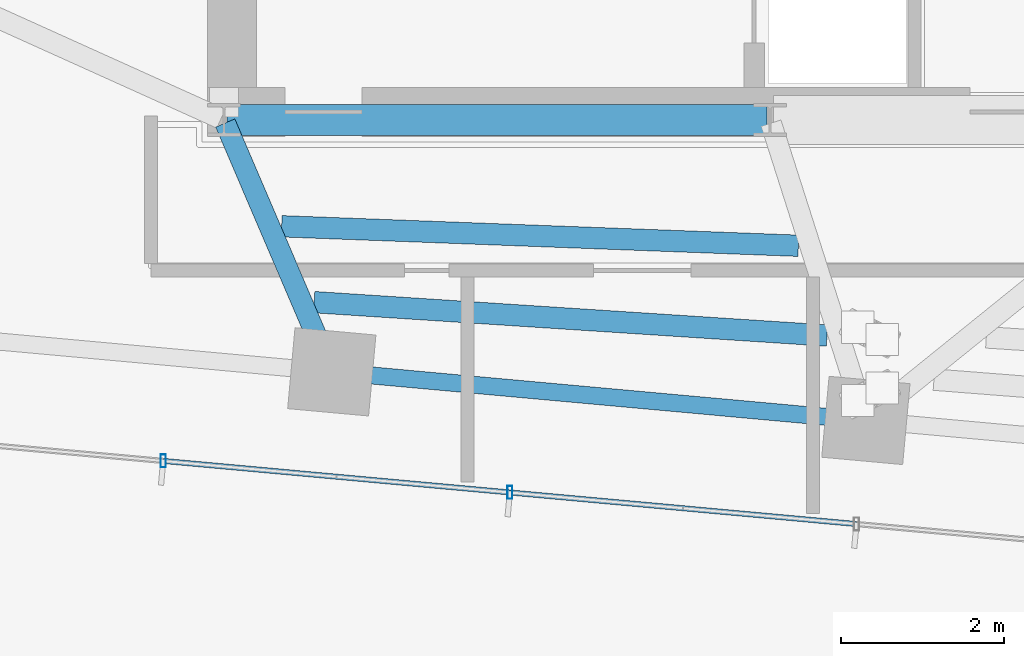
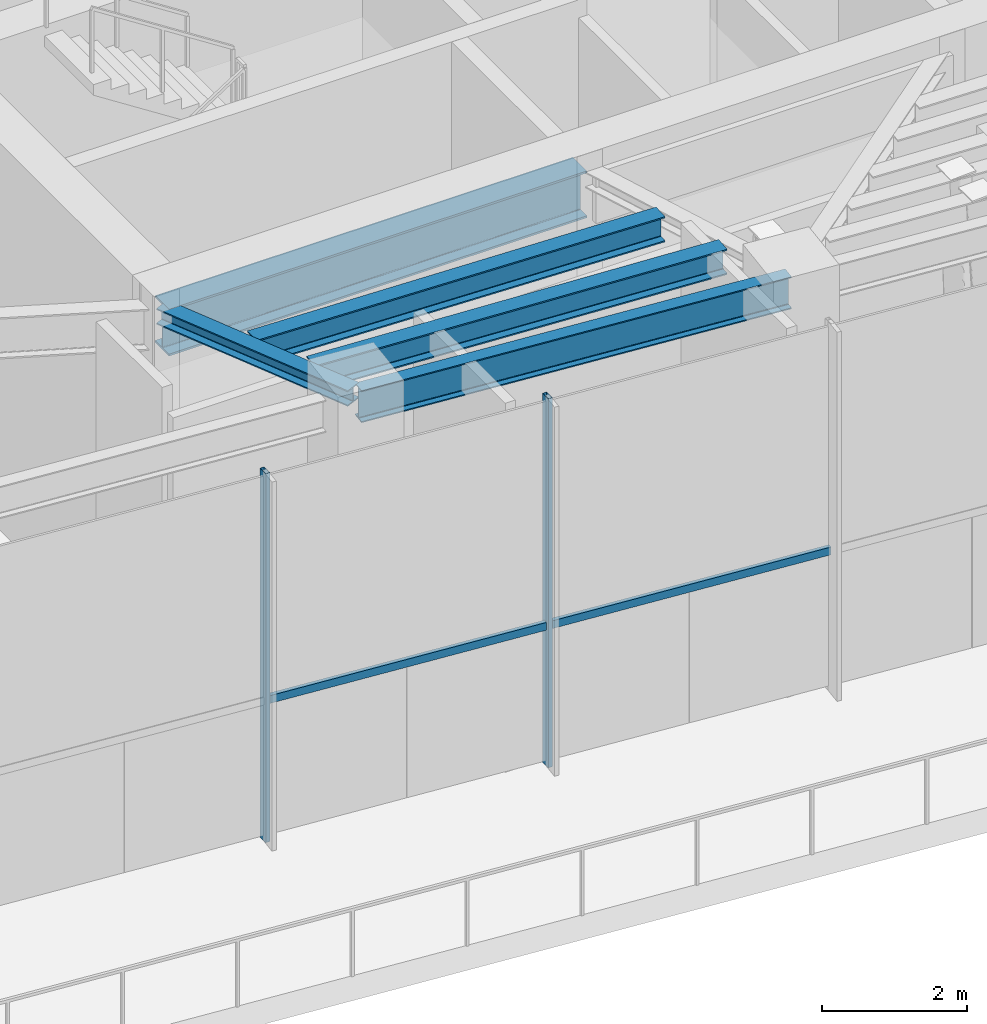
# One storey, part 3 of 18: 5 beams, 4 members, 1 element without a shape of its own.
"""IFC4 building model written with IfcOpenShell, lengths in metres."""

from ifc_helpers import new_model, si_unit, direction, frame, origin, origin_2d, place, context, subcontext, project, spatial, hollow_rectangle, i_section, extrude, source, transform, mapped, material, material_profile, profile_set, type_object, type_shapes, element, aggregate, save


model = new_model("IFC4")

# Units and contexts
model_context = context("Model", 3, precision=1e-05, world=origin(), true_north=direction((0.0, 1.0)))
body_context = subcontext(model_context, "Body", "Model", "MODEL_VIEW")
ifc_project = project(units=[si_unit("LENGTHUNIT", "METRE"), si_unit("AREAUNIT", "SQUARE_METRE"), si_unit("VOLUMEUNIT", "CUBIC_METRE"), si_unit("PLANEANGLEUNIT", "RADIAN"), si_unit("MASSUNIT", "GRAM", prefix="KILO")], contexts=[model_context])

# Site, building, storey
site_placement = place(None, origin())
site = spatial("IfcSite", under=ifc_project, at=site_placement, CompositionType="ELEMENT")
building_placement = place(site_placement, origin())
building = spatial("IfcBuilding", under=site, at=building_placement, Name="Astriad Promenade Condominiums", CompositionType="ELEMENT")
storey_placement = place(building_placement, frame((0.0, 0.0, 264.300048828125)))
storey = spatial("IfcBuildingStorey", under=building, at=storey_placement, Name="L76", CompositionType="ELEMENT", Elevation=264.300048828125)

# Beams
ifc_material_1 = material(Name="Steel ASTM A992 Grade 50", Category="steel")
ifc_material_profile_1 = material_profile(ifc_material_1, i_section(OverallWidth=0.3837890625, OverallDepth=0.785888671875, WebThickness=0.019775390625, FlangeThickness=0.033447265625, FilletRadius=0.021484375, at=origin_2d()), Name="W30X211")
ifc_profile_set_1 = profile_set([ifc_material_profile_1], Name="Steel ASTM A992 Grade 50")
beam_type_1 = type_object("IfcBeamType", Name="STEEL FLOOR GIRDER W30X211", PredefinedType="BEAM", material=ifc_profile_set_1)
shared_shape_1 = source(origin(), body_context, "Body", "SweptSolid", [
    extrude(i_section(OverallWidth=0.3837890625, OverallDepth=0.785888671875, WebThickness=0.019775390625, FlangeThickness=0.033447265625, FilletRadius=0.021484375, at=origin_2d()), origin(), (0.0, 0.0, 1.0), 6.64013671875),
])
type_shapes(beam_type_1, [shared_shape_1])
beam_1_placement = place(storey_placement, frame((26.43994140625, 17.39990234375, 5.80712890625), z_axis=(1.0, 0.0, 0.0), x_axis=(0.0, 1.0, 0.0)))
element("IfcBeam", 1, at=beam_1_placement, inside=storey, type_object=beam_type_1, Name="Core Ring Beam CG-S1-L76", PredefinedType="BEAM", context=body_context, shape_type="MappedRepresentation", body=[
    mapped(shared_shape_1, transform((0.0, 0.0, 0.0), scale=1.0)),
])
ifc_material_profile_2 = material_profile(ifc_material_1, i_section(OverallWidth=0.210693359375, OverallDepth=0.53955078125, WebThickness=0.01171875, FlangeThickness=0.018798828125, FilletRadius=0.0166015625, at=origin_2d()), Name="W21X73")
ifc_profile_set_2 = profile_set([ifc_material_profile_2], Name="Steel ASTM A992 Grade 50")
beam_type_2 = type_object("IfcBeamType", Name="STEEL SPANDREL BEAM W21X73", PredefinedType="SPANDREL", material=ifc_profile_set_2)
shared_shape_2 = source(origin(), body_context, "Body", "SweptSolid", [
    extrude(i_section(OverallWidth=0.210693359375, OverallDepth=0.53955078125, WebThickness=0.01171875, FlangeThickness=0.018798828125, FilletRadius=0.0166015625, at=origin_2d()), origin(), (0.0, 0.0, 1.0), 6.520263671875),
])
type_shapes(beam_type_2, [shared_shape_2])
beam_2_placement = place(storey_placement, frame((27.7666015625, 14.29736328125, 5.93017578125), z_axis=(0.9958827648, -0.090650531022, 0.0), x_axis=(0.090650531022, 0.9958827648, 0.0)))
element("IfcBeam", 2, at=beam_2_placement, inside=storey, type_object=beam_type_2, Name="Perimeter Spandrel Beam SP-S2-L76", PredefinedType="SPANDREL", context=body_context, shape_type="MappedRepresentation", body=[
    mapped(shared_shape_2, transform((0.0, 0.0, 0.0), scale=1.0)),
])
ifc_material_profile_3 = material_profile(ifc_material_1, i_section(OverallWidth=0.25732421875, OverallDepth=0.26416015625, WebThickness=0.011962890625, FlangeThickness=0.01953125, FilletRadius=0.0126953125, at=origin_2d()), Name="W10X68")
ifc_profile_set_3 = profile_set([ifc_material_profile_3], Name="Steel ASTM A992 Grade 50")
beam_type_3 = type_object("IfcBeamType", Name="STEEL CANOPY BEAM W10X68", PredefinedType="BEAM", material=ifc_profile_set_3)
shared_shape_3 = source(origin(), body_context, "Body", "SweptSolid", [
    extrude(i_section(OverallWidth=0.25732421875, OverallDepth=0.26416015625, WebThickness=0.011962890625, FlangeThickness=0.01953125, FilletRadius=0.0126953125, at=origin_2d()), origin(), (0.0, 0.0, 1.0), 3.291259765625),
])
type_shapes(beam_type_3, [shared_shape_3])
beam_3_placement = place(storey_placement, frame((27.711181640625, 14.337646484375, 6.06787109375), z_axis=(-0.39358803023, 0.919286931518, 0.0), x_axis=(-0.919286931518, -0.39358803023, 0.0)))
element("IfcBeam", 3, at=beam_3_placement, inside=storey, type_object=beam_type_3, Name="Primary Floor Girder PG-W2-L76", PredefinedType="BEAM", context=body_context, shape_type="MappedRepresentation", body=[
    mapped(shared_shape_3, transform((0.0, 0.0, 0.0), scale=1.0)),
])
ifc_material_profile_4 = material_profile(ifc_material_1, i_section(OverallWidth=0.26318359375, OverallDepth=0.425537109375, WebThickness=0.01318359375, FlangeThickness=0.022216796875, FilletRadius=0.013916015625, at=origin_2d()), Name="W16X89")
ifc_profile_set_4 = profile_set([ifc_material_profile_4], Name="Steel ASTM A992 Grade 50")
beam_type_4 = type_object("IfcBeamType", Name="STEEL FLOOR JOIST W16X89", PredefinedType="JOIST", material=ifc_profile_set_4)
shared_shape_4 = source(origin(), body_context, "Body", "SweptSolid", [
    extrude(i_section(OverallWidth=0.26318359375, OverallDepth=0.425537109375, WebThickness=0.01318359375, FlangeThickness=0.022216796875, FilletRadius=0.013916015625, at=origin_2d()), origin(), (0.0, 0.0, 1.0), 6.32568359375),
])
beam_4_placement = place(storey_placement, frame((27.50927734375, 15.15869140625, 5.987060546875), z_axis=(0.997885605656, -0.064994753816, 0.0), x_axis=(0.064994753816, 0.997885605656, 0.0)))
element("IfcBeam", 4, at=beam_4_placement, inside=storey, type_object=beam_type_4, Name="Secondary Composite Floor Joist JCW-2-L76", PredefinedType="JOIST", context=body_context, shape_type="MappedRepresentation", body=[
    mapped(shared_shape_4, transform((0.0, 0.0, 0.0), scale=1.0)),
])
shared_shape_5 = source(origin(), body_context, "Body", "SweptSolid", [
    extrude(i_section(OverallWidth=0.26318359375, OverallDepth=0.425537109375, WebThickness=0.01318359375, FlangeThickness=0.022216796875, FilletRadius=0.013916015625, at=origin_2d()), origin(), (0.0, 0.0, 1.0), 6.36376953125),
])
type_shapes(beam_type_4, [shared_shape_4, shared_shape_5])
beam_5_placement = place(storey_placement, frame((27.109619140625, 16.092529296875, 5.987060546875), z_axis=(0.999290071043, -0.037674313731, 0.0), x_axis=(0.037674313731, 0.999290071043, 0.0)))
element("IfcBeam", 5, at=beam_5_placement, inside=storey, type_object=beam_type_4, Name="Secondary Composite Floor Joist JCW-4-L76", PredefinedType="JOIST", context=body_context, shape_type="MappedRepresentation", body=[
    mapped(shared_shape_5, transform((0.0, 0.0, 0.0), scale=1.0)),
])

# Curtain wall, members
ifc_material_2 = material(Name="Anodised aluminium Black Dark Glass Unitised", Category="aluminium")
curtain_wall_type = type_object("IfcCurtainWallType", Name="CW-TMD-LANTERN", PredefinedType="USERDEFINED", material=ifc_material_2)
curtain_wall_placement = place(storey_placement, origin())
curtain_wall = element("IfcCurtainWall", 6, at=curtain_wall_placement, inside=storey, type_object=curtain_wall_type, Name="CW-LNT-L76-18-1", ObjectType="UNITISED_CURTAIN_WALL", PredefinedType="USERDEFINED")
ifc_material_3 = material(Name="Anodised aluminium 6063-T6 Black", Category="aluminium")
ifc_material_profile_5 = material_profile(ifc_material_3, hollow_rectangle(XDim=0.06494140625, YDim=0.159912109375, WallThickness=0.00390625, at=origin_2d()), Name="ALU-MUL-65X160")
ifc_profile_set_5 = profile_set([ifc_material_profile_5], Name="Anodised aluminium 6063-T6 Black")
member_type_1 = type_object("IfcMemberType", Name="MUL-ALU-MUL-65X160", PredefinedType="MULLION", material=ifc_profile_set_5)
shared_shape_6 = source(origin(), body_context, "Body", "SweptSolid", [
    extrude(hollow_rectangle(XDim=0.06494140625, YDim=0.159912109375, WallThickness=0.00390625, at=origin_2d()), origin(), (0.0, 0.0, 1.0), 6.199951171875),
])
type_shapes(member_type_1, [shared_shape_6])
member_1_placement = place(storey_placement, frame((29.91796875, 12.81640625, 0.0), z_axis=(0.0, 0.0, 1.0), x_axis=(1.0, 0.0, 0.0)))
member_1 = element("IfcMember", 7, at=member_1_placement, type_object=member_type_1, Name="CW-LNT-L76-18-1-MUL-04", PredefinedType="MULLION", context=body_context, shape_type="MappedRepresentation", body=[
    mapped(shared_shape_6, transform((0.0, 0.0, 0.0), scale=1.0)),
])
member_2_placement = place(storey_placement, frame((25.652099609375, 13.20458984375, 0.0), z_axis=(0.0, 0.0, 1.0), x_axis=(1.0, 0.0, 0.0)))
member_2 = element("IfcMember", 8, at=member_2_placement, type_object=member_type_1, Name="CW-LNT-L76-18-1-MUL-05", PredefinedType="MULLION", context=body_context, shape_type="MappedRepresentation", body=[
    mapped(shared_shape_6, transform((0.0, 0.0, 0.0), scale=1.0)),
])
ifc_material_profile_6 = material_profile(ifc_material_3, hollow_rectangle(XDim=0.06494140625, YDim=0.1298828125, WallThickness=0.00390625, at=origin_2d()), Name="ALU-TRN-65X130")
ifc_profile_set_6 = profile_set([ifc_material_profile_6], Name="Anodised aluminium 6063-T6 Black")
member_type_2 = type_object("IfcMemberType", Name="TRN-ALU-TRN-65X130", PredefinedType="USERDEFINED", material=ifc_profile_set_6)
shared_shape_7 = source(origin(), body_context, "Body", "SweptSolid", [
    extrude(hollow_rectangle(XDim=0.06494140625, YDim=0.1298828125, WallThickness=0.00390625, at=origin_2d()), origin(), (0.0, 0.0, 1.0), 4.283203125),
])
member_3_placement = place(storey_placement, frame((34.18359375, 12.427978515625, 2.349853515625), z_axis=(-0.995879646467, 0.090684782368, 0.0), x_axis=(-0.090684782368, -0.995879646467, 0.0)))
member_3 = element("IfcMember", 9, at=member_3_placement, type_object=member_type_2, Name="CW-LNT-L76-18-1-TRN-03-0", ObjectType="TRANSOM", PredefinedType="USERDEFINED", context=body_context, shape_type="MappedRepresentation", body=[
    mapped(shared_shape_7, transform((0.0, 0.0, 0.0), scale=1.0)),
])
shared_shape_8 = source(origin(), body_context, "Body", "SweptSolid", [
    extrude(hollow_rectangle(XDim=0.06494140625, YDim=0.1298828125, WallThickness=0.00390625, at=origin_2d()), origin(), (0.0, 0.0, 1.0), 4.283447265625),
])
type_shapes(member_type_2, [shared_shape_7, shared_shape_8])
member_4_placement = place(storey_placement, frame((29.91796875, 12.81640625, 2.349853515625), z_axis=(-0.995885260617, 0.090623107903, 0.0), x_axis=(-0.090623107903, -0.995885260617, 0.0)))
member_4 = element("IfcMember", 10, at=member_4_placement, type_object=member_type_2, Name="CW-LNT-L76-18-1-TRN-04-0", ObjectType="TRANSOM", PredefinedType="USERDEFINED", context=body_context, shape_type="MappedRepresentation", body=[
    mapped(shared_shape_8, transform((0.0, 0.0, 0.0), scale=1.0)),
])
aggregate(curtain_wall, [member_1, member_2, member_3, member_4])

save(model, "model.ifc")
